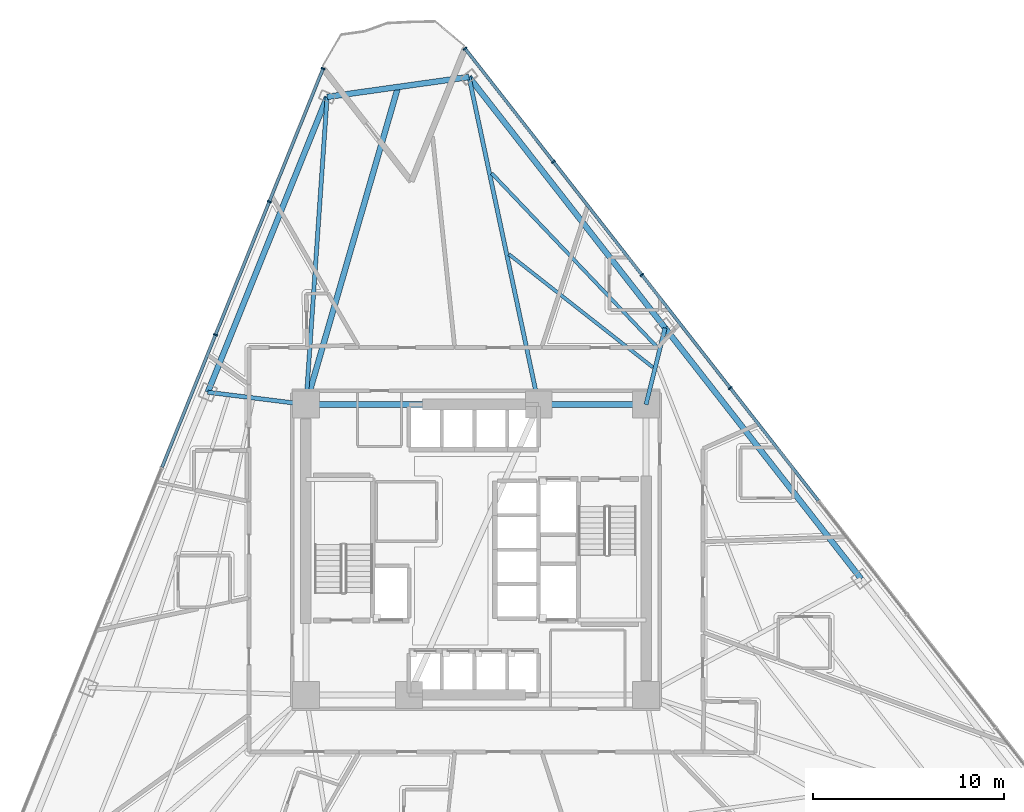
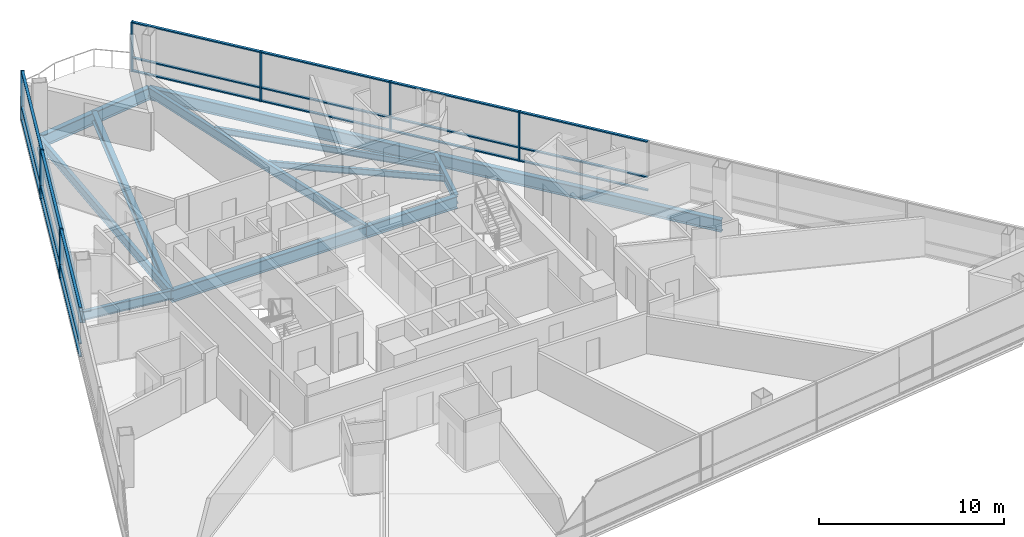
# One storey, part 5 of 15: 28 members, 13 beams, 2 elements without a shape of their own.
"""IFC4 building model written with IfcOpenShell, lengths in metres."""

from ifc_helpers import new_model, si_unit, direction, frame, origin, origin_2d, place, context, subcontext, project, spatial, rectangle, i_section, extrude, material, layer, layer_set, material_profile, profile_set, type_object, element, aggregate, save


model = new_model("IFC4")

# Units and contexts
model_context = context("Model", 3, precision=1e-05, world=origin(), true_north=direction((0.0, 1.0)))
body_context = subcontext(model_context, "Body", "Model", "MODEL_VIEW")
ifc_project = project(units=[si_unit("LENGTHUNIT", "METRE"), si_unit("AREAUNIT", "SQUARE_METRE"), si_unit("VOLUMEUNIT", "CUBIC_METRE"), si_unit("PLANEANGLEUNIT", "RADIAN"), si_unit("MASSUNIT", "GRAM", prefix="KILO")], contexts=[model_context])

# Site, building, storey
site_placement = place(None, origin())
site = spatial("IfcSite", under=ifc_project, at=site_placement, CompositionType="ELEMENT")
building_placement = place(site_placement, origin())
building = spatial("IfcBuilding", under=site, at=building_placement, Name="Tharavind Bronze Gate", CompositionType="ELEMENT")
storey_placement = place(building_placement, frame((0.0, 0.0, 63.85009765625)))
storey = spatial("IfcBuildingStorey", under=building, at=storey_placement, Name="L15", CompositionType="ELEMENT", Elevation=63.85009765625)

# Curtain wall, members
ifc_material_1 = material(Name="Anodised Bronze Aluminium", Category="aluminium")
ifc_layer = layer(ifc_material_1, 0.219970703125)
ifc_layer_set = layer_set([ifc_layer], Name="Anodised Bronze Aluminium")
curtain_wall_type = type_object("IfcCurtainWallType", Name="UNITISED CURTAIN WALL HOTEL", PredefinedType="USERDEFINED", material=ifc_layer_set)
curtain_wall_1_placement = place(storey_placement, origin())
curtain_wall_1 = element("IfcCurtainWall", 1, at=curtain_wall_1_placement, inside=storey, type_object=curtain_wall_type, Name="L15 unitised curtain wall hotel CW-L15-S1", ObjectType="UNITISED CURTAIN WALL", PredefinedType="USERDEFINED")
member_type_1 = type_object("IfcMemberType", Name="CURTAIN WALL MULLION 80X220", PredefinedType="MULLION", material=ifc_material_1)
member_1_placement = place(storey_placement, frame((-8.000732421875, 25.18310546875, 0.0), z_axis=(0.0, 0.0, 1.0), x_axis=(-0.374606593416, -0.927183854567, 0.0)))
member_1 = element("IfcMember", 2, at=member_1_placement, type_object=member_type_1, Name="CW-L15-S1 mullion 1", PredefinedType="MULLION", context=body_context, shape_type="SweptSolid", body=[
    extrude(rectangle(XDim=0.080078125, YDim=0.219970703125, at=origin_2d()), origin(), (0.0, 0.0, 1.0), 3.27490234375),
])
member_2_placement = place(storey_placement, frame((-10.81591796875, 18.215087890625, 0.0), z_axis=(0.0, 0.0, 1.0), x_axis=(-0.374606593416, -0.927183854567, 0.0)))
member_2 = element("IfcMember", 3, at=member_2_placement, type_object=member_type_1, Name="CW-L15-S1 mullion 2", PredefinedType="MULLION", context=body_context, shape_type="SweptSolid", body=[
    extrude(rectangle(XDim=0.080078125, YDim=0.219970703125, at=origin_2d()), origin(), (0.0, 0.0, 1.0), 3.27490234375),
])
member_3_placement = place(storey_placement, frame((-13.631103515625, 11.247314453125, 0.0), z_axis=(0.0, 0.0, 1.0), x_axis=(-0.374606593416, -0.927183854567, 0.0)))
member_3 = element("IfcMember", 4, at=member_3_placement, type_object=member_type_1, Name="CW-L15-S1 mullion 3", PredefinedType="MULLION", context=body_context, shape_type="SweptSolid", body=[
    extrude(rectangle(XDim=0.080078125, YDim=0.219970703125, at=origin_2d()), origin(), (0.0, 0.0, 1.0), 3.27490234375),
])

curtain_wall_2_placement = place(storey_placement, origin())
curtain_wall_2 = element("IfcCurtainWall", 5, at=curtain_wall_2_placement, inside=storey, type_object=curtain_wall_type, Name="L15 unitised curtain wall hotel CW-L15-S3", ObjectType="UNITISED CURTAIN WALL", PredefinedType="USERDEFINED")
member_4_placement = place(storey_placement, frame((13.306396484375, 8.4609375, 0.0), z_axis=(0.0, 0.0, 1.0), x_axis=(-0.615661475326, 0.788010753607, 0.0)))
member_4 = element("IfcMember", 6, at=member_4_placement, type_object=member_type_1, Name="CW-L15-S3 mullion 5", PredefinedType="MULLION", context=body_context, shape_type="SweptSolid", body=[
    extrude(rectangle(XDim=0.080078125, YDim=0.219970703125, at=origin_2d()), origin(), (0.0, 0.0, 1.0), 3.27490234375),
])
member_5_placement = place(storey_placement, frame((8.6796875, 14.383056640625, 0.0), z_axis=(0.0, 0.0, 1.0), x_axis=(-0.615661475326, 0.788010753607, 0.0)))
member_5 = element("IfcMember", 7, at=member_5_placement, type_object=member_type_1, Name="CW-L15-S3 mullion 6", PredefinedType="MULLION", context=body_context, shape_type="SweptSolid", body=[
    extrude(rectangle(XDim=0.080078125, YDim=0.219970703125, at=origin_2d()), origin(), (0.0, 0.0, 1.0), 3.27490234375),
])
member_6_placement = place(storey_placement, frame((4.052978515625, 20.304931640625, 0.0), z_axis=(0.0, 0.0, 1.0), x_axis=(-0.615661475326, 0.788010753607, 0.0)))
member_6 = element("IfcMember", 8, at=member_6_placement, type_object=member_type_1, Name="CW-L15-S3 mullion 7", PredefinedType="MULLION", context=body_context, shape_type="SweptSolid", body=[
    extrude(rectangle(XDim=0.080078125, YDim=0.219970703125, at=origin_2d()), origin(), (0.0, 0.0, 1.0), 3.27490234375),
])
member_7_placement = place(storey_placement, frame((-0.57373046875, 26.226806640625, 0.0), z_axis=(0.0, 0.0, 1.0), x_axis=(-0.615661475326, 0.788010753607, 0.0)))
member_7 = element("IfcMember", 9, at=member_7_placement, type_object=member_type_1, Name="CW-L15-S3 mullion 8", PredefinedType="MULLION", context=body_context, shape_type="SweptSolid", body=[
    extrude(rectangle(XDim=0.080078125, YDim=0.219970703125, at=origin_2d()), origin(), (0.0, 0.0, 1.0), 3.27490234375),
])

# Member
member_type_2 = type_object("IfcMemberType", Name="CURTAIN WALL TRANSOM 80X160", PredefinedType="USERDEFINED", material=ifc_material_1)
member_8_placement = place(storey_placement, frame((-9.408203125, 21.69921875, -0.000244140625), z_axis=(0.0, 0.0, 1.0), x_axis=(-0.374606593416, -0.927183854567, 0.0)))
member_8 = element("IfcMember", 10, at=member_8_placement, type_object=member_type_2, Name="CW-L15-S1 transom TB1", ObjectType="TRANSOM", PredefinedType="USERDEFINED", context=body_context, shape_type="SweptSolid", body=[
    extrude(rectangle(XDim=7.447021484375, YDim=0.159912109375, at=origin_2d()), origin(), (0.0, 0.0, 1.0), 0.080078125),
])

member_9_placement = place(storey_placement, frame((-9.408203125, 21.69921875, 0.85986328125), z_axis=(0.0, 0.0, 1.0), x_axis=(-0.374606593416, -0.927183854567, 0.0)))
member_9 = element("IfcMember", 11, at=member_9_placement, type_object=member_type_2, Name="CW-L15-S1 transom TS1", ObjectType="TRANSOM", PredefinedType="USERDEFINED", context=body_context, shape_type="SweptSolid", body=[
    extrude(rectangle(XDim=7.447021484375, YDim=0.159912109375, at=origin_2d()), origin(), (0.0, 0.0, 1.0), 0.080078125),
])

member_10_placement = place(storey_placement, frame((-9.408203125, 21.69921875, 3.19482421875), z_axis=(0.0, 0.0, 1.0), x_axis=(-0.374606593416, -0.927183854567, 0.0)))
member_10 = element("IfcMember", 12, at=member_10_placement, type_object=member_type_2, Name="CW-L15-S1 transom TT1", ObjectType="TRANSOM", PredefinedType="USERDEFINED", context=body_context, shape_type="SweptSolid", body=[
    extrude(rectangle(XDim=7.447021484375, YDim=0.159912109375, at=origin_2d()), origin(), (0.0, 0.0, 1.0), 0.080078125),
])

member_11_placement = place(storey_placement, frame((-12.223388671875, 14.731201171875, -0.000244140625), z_axis=(0.0, 0.0, 1.0), x_axis=(-0.374606593416, -0.927183854567, 0.0)))
member_11 = element("IfcMember", 13, at=member_11_placement, type_object=member_type_2, Name="CW-L15-S1 transom TB2", ObjectType="TRANSOM", PredefinedType="USERDEFINED", context=body_context, shape_type="SweptSolid", body=[
    extrude(rectangle(XDim=7.447021484375, YDim=0.159912109375, at=origin_2d()), origin(), (0.0, 0.0, 1.0), 0.080078125),
])

member_12_placement = place(storey_placement, frame((-12.223388671875, 14.731201171875, 0.85986328125), z_axis=(0.0, 0.0, 1.0), x_axis=(-0.374606593416, -0.927183854567, 0.0)))
member_12 = element("IfcMember", 14, at=member_12_placement, type_object=member_type_2, Name="CW-L15-S1 transom TS2", ObjectType="TRANSOM", PredefinedType="USERDEFINED", context=body_context, shape_type="SweptSolid", body=[
    extrude(rectangle(XDim=7.447021484375, YDim=0.159912109375, at=origin_2d()), origin(), (0.0, 0.0, 1.0), 0.080078125),
])

member_13_placement = place(storey_placement, frame((-12.223388671875, 14.731201171875, 3.19482421875), z_axis=(0.0, 0.0, 1.0), x_axis=(-0.374606593416, -0.927183854567, 0.0)))
member_13 = element("IfcMember", 15, at=member_13_placement, type_object=member_type_2, Name="CW-L15-S1 transom TT2", ObjectType="TRANSOM", PredefinedType="USERDEFINED", context=body_context, shape_type="SweptSolid", body=[
    extrude(rectangle(XDim=7.447021484375, YDim=0.159912109375, at=origin_2d()), origin(), (0.0, 0.0, 1.0), 0.080078125),
])

member_14_placement = place(storey_placement, frame((-15.038818359375, 7.763427734375, -0.000244140625), z_axis=(0.0, 0.0, 1.0), x_axis=(-0.374606593416, -0.927183854567, 0.0)))
member_14 = element("IfcMember", 16, at=member_14_placement, type_object=member_type_2, Name="CW-L15-S1 transom TB3", ObjectType="TRANSOM", PredefinedType="USERDEFINED", context=body_context, shape_type="SweptSolid", body=[
    extrude(rectangle(XDim=7.447021484375, YDim=0.159912109375, at=origin_2d()), origin(), (0.0, 0.0, 1.0), 0.080078125),
])

member_15_placement = place(storey_placement, frame((-15.038818359375, 7.763427734375, 0.85986328125), z_axis=(0.0, 0.0, 1.0), x_axis=(-0.374606593416, -0.927183854567, 0.0)))
member_15 = element("IfcMember", 17, at=member_15_placement, type_object=member_type_2, Name="CW-L15-S1 transom TS3", ObjectType="TRANSOM", PredefinedType="USERDEFINED", context=body_context, shape_type="SweptSolid", body=[
    extrude(rectangle(XDim=7.447021484375, YDim=0.159912109375, at=origin_2d()), origin(), (0.0, 0.0, 1.0), 0.080078125),
])

member_16_placement = place(storey_placement, frame((-15.038818359375, 7.763427734375, 3.19482421875), z_axis=(0.0, 0.0, 1.0), x_axis=(-0.374606593416, -0.927183854567, 0.0)))
member_16 = element("IfcMember", 18, at=member_16_placement, type_object=member_type_2, Name="CW-L15-S1 transom TT3", ObjectType="TRANSOM", PredefinedType="USERDEFINED", context=body_context, shape_type="SweptSolid", body=[
    extrude(rectangle(XDim=7.447021484375, YDim=0.159912109375, at=origin_2d()), origin(), (0.0, 0.0, 1.0), 0.080078125),
])

aggregate(curtain_wall_1, [member_1, member_2, member_3, member_8, member_9, member_10, member_11, member_12, member_13, member_14, member_15, member_16])

member_17_placement = place(storey_placement, frame((15.619873046875, 5.5, -0.000244140625), z_axis=(0.0, 0.0, 1.0), x_axis=(-0.615661475326, 0.788010753607, 0.0)))
member_17 = element("IfcMember", 19, at=member_17_placement, type_object=member_type_2, Name="CW-L15-S3 transom TB4", ObjectType="TRANSOM", PredefinedType="USERDEFINED", context=body_context, shape_type="SweptSolid", body=[
    extrude(rectangle(XDim=7.447021484375, YDim=0.159912109375, at=origin_2d()), origin(), (0.0, 0.0, 1.0), 0.080078125),
])

member_18_placement = place(storey_placement, frame((15.619873046875, 5.5, 0.85986328125), z_axis=(0.0, 0.0, 1.0), x_axis=(-0.615661475326, 0.788010753607, 0.0)))
member_18 = element("IfcMember", 20, at=member_18_placement, type_object=member_type_2, Name="CW-L15-S3 transom TS4", ObjectType="TRANSOM", PredefinedType="USERDEFINED", context=body_context, shape_type="SweptSolid", body=[
    extrude(rectangle(XDim=7.447021484375, YDim=0.159912109375, at=origin_2d()), origin(), (0.0, 0.0, 1.0), 0.080078125),
])

member_19_placement = place(storey_placement, frame((15.619873046875, 5.5, 3.19482421875), z_axis=(0.0, 0.0, 1.0), x_axis=(-0.615661475326, 0.788010753607, 0.0)))
member_19 = element("IfcMember", 21, at=member_19_placement, type_object=member_type_2, Name="CW-L15-S3 transom TT4", ObjectType="TRANSOM", PredefinedType="USERDEFINED", context=body_context, shape_type="SweptSolid", body=[
    extrude(rectangle(XDim=7.447021484375, YDim=0.159912109375, at=origin_2d()), origin(), (0.0, 0.0, 1.0), 0.080078125),
])

member_20_placement = place(storey_placement, frame((10.9931640625, 11.422119140625, -0.000244140625), z_axis=(0.0, 0.0, 1.0), x_axis=(-0.615661475326, 0.788010753607, 0.0)))
member_20 = element("IfcMember", 22, at=member_20_placement, type_object=member_type_2, Name="CW-L15-S3 transom TB5", ObjectType="TRANSOM", PredefinedType="USERDEFINED", context=body_context, shape_type="SweptSolid", body=[
    extrude(rectangle(XDim=7.447021484375, YDim=0.159912109375, at=origin_2d()), origin(), (0.0, 0.0, 1.0), 0.080078125),
])

member_21_placement = place(storey_placement, frame((10.9931640625, 11.422119140625, 0.85986328125), z_axis=(0.0, 0.0, 1.0), x_axis=(-0.615661475326, 0.788010753607, 0.0)))
member_21 = element("IfcMember", 23, at=member_21_placement, type_object=member_type_2, Name="CW-L15-S3 transom TS5", ObjectType="TRANSOM", PredefinedType="USERDEFINED", context=body_context, shape_type="SweptSolid", body=[
    extrude(rectangle(XDim=7.447021484375, YDim=0.159912109375, at=origin_2d()), origin(), (0.0, 0.0, 1.0), 0.080078125),
])

member_22_placement = place(storey_placement, frame((10.9931640625, 11.422119140625, 3.19482421875), z_axis=(0.0, 0.0, 1.0), x_axis=(-0.615661475326, 0.788010753607, 0.0)))
member_22 = element("IfcMember", 24, at=member_22_placement, type_object=member_type_2, Name="CW-L15-S3 transom TT5", ObjectType="TRANSOM", PredefinedType="USERDEFINED", context=body_context, shape_type="SweptSolid", body=[
    extrude(rectangle(XDim=7.447021484375, YDim=0.159912109375, at=origin_2d()), origin(), (0.0, 0.0, 1.0), 0.080078125),
])

member_23_placement = place(storey_placement, frame((6.366455078125, 17.343994140625, -0.000244140625), z_axis=(0.0, 0.0, 1.0), x_axis=(-0.615661475326, 0.788010753607, 0.0)))
member_23 = element("IfcMember", 25, at=member_23_placement, type_object=member_type_2, Name="CW-L15-S3 transom TB6", ObjectType="TRANSOM", PredefinedType="USERDEFINED", context=body_context, shape_type="SweptSolid", body=[
    extrude(rectangle(XDim=7.447021484375, YDim=0.159912109375, at=origin_2d()), origin(), (0.0, 0.0, 1.0), 0.080078125),
])

member_24_placement = place(storey_placement, frame((6.366455078125, 17.343994140625, 0.85986328125), z_axis=(0.0, 0.0, 1.0), x_axis=(-0.615661475326, 0.788010753607, 0.0)))
member_24 = element("IfcMember", 26, at=member_24_placement, type_object=member_type_2, Name="CW-L15-S3 transom TS6", ObjectType="TRANSOM", PredefinedType="USERDEFINED", context=body_context, shape_type="SweptSolid", body=[
    extrude(rectangle(XDim=7.447021484375, YDim=0.159912109375, at=origin_2d()), origin(), (0.0, 0.0, 1.0), 0.080078125),
])

member_25_placement = place(storey_placement, frame((6.366455078125, 17.343994140625, 3.19482421875), z_axis=(0.0, 0.0, 1.0), x_axis=(-0.615661475326, 0.788010753607, 0.0)))
member_25 = element("IfcMember", 27, at=member_25_placement, type_object=member_type_2, Name="CW-L15-S3 transom TT6", ObjectType="TRANSOM", PredefinedType="USERDEFINED", context=body_context, shape_type="SweptSolid", body=[
    extrude(rectangle(XDim=7.447021484375, YDim=0.159912109375, at=origin_2d()), origin(), (0.0, 0.0, 1.0), 0.080078125),
])

member_26_placement = place(storey_placement, frame((1.73974609375, 23.265869140625, -0.000244140625), z_axis=(0.0, 0.0, 1.0), x_axis=(-0.615661475326, 0.788010753607, 0.0)))
member_26 = element("IfcMember", 28, at=member_26_placement, type_object=member_type_2, Name="CW-L15-S3 transom TB7", ObjectType="TRANSOM", PredefinedType="USERDEFINED", context=body_context, shape_type="SweptSolid", body=[
    extrude(rectangle(XDim=7.447021484375, YDim=0.159912109375, at=origin_2d()), origin(), (0.0, 0.0, 1.0), 0.080078125),
])

member_27_placement = place(storey_placement, frame((1.73974609375, 23.265869140625, 0.85986328125), z_axis=(0.0, 0.0, 1.0), x_axis=(-0.615661475326, 0.788010753607, 0.0)))
member_27 = element("IfcMember", 29, at=member_27_placement, type_object=member_type_2, Name="CW-L15-S3 transom TS7", ObjectType="TRANSOM", PredefinedType="USERDEFINED", context=body_context, shape_type="SweptSolid", body=[
    extrude(rectangle(XDim=7.447021484375, YDim=0.159912109375, at=origin_2d()), origin(), (0.0, 0.0, 1.0), 0.080078125),
])

member_28_placement = place(storey_placement, frame((1.73974609375, 23.265869140625, 3.19482421875), z_axis=(0.0, 0.0, 1.0), x_axis=(-0.615661475326, 0.788010753607, 0.0)))
member_28 = element("IfcMember", 30, at=member_28_placement, type_object=member_type_2, Name="CW-L15-S3 transom TT7", ObjectType="TRANSOM", PredefinedType="USERDEFINED", context=body_context, shape_type="SweptSolid", body=[
    extrude(rectangle(XDim=7.447021484375, YDim=0.159912109375, at=origin_2d()), origin(), (0.0, 0.0, 1.0), 0.080078125),
])

aggregate(curtain_wall_2, [member_4, member_5, member_6, member_7, member_17, member_18, member_19, member_20, member_21, member_22, member_23, member_24, member_25, member_26, member_27, member_28])

# Beams
ifc_material_2 = material(Name="Steel S355", Category="steel")
ifc_material_profile_1 = material_profile(ifc_material_2, i_section(OverallWidth=0.300048828125, OverallDepth=0.64990234375, WebThickness=0.01611328125, FlangeThickness=0.031005859375, at=origin_2d()), Name="HE650B")
ifc_profile_set_1 = profile_set([ifc_material_profile_1], Name="Steel S355")
beam_type_1 = type_object("IfcBeamType", Name="PRIMARY GIRDER HE650B", PredefinedType="USERDEFINED", material=ifc_profile_set_1)
beam_1_placement = place(storey_placement, frame((-8.89990234375, 7.60009765625, -0.5), z_axis=(0.278626347577, 0.960399582693, 0.0), x_axis=(-0.960399582693, 0.278626347577, 0.0)))
element("IfcBeam", 31, at=beam_1_placement, inside=storey, type_object=beam_type_1, Name="L15 primary girder he650b BM-L15-BLCSB", ObjectType="GIRDER", PredefinedType="USERDEFINED", context=body_context, shape_type="SweptSolid", body=[
    extrude(i_section(OverallWidth=0.300048828125, OverallDepth=0.64990234375, WebThickness=0.01611328125, FlangeThickness=0.031005859375, at=origin_2d()), origin(), (0.0, 0.0, 1.0), 17.3046875),
])
ifc_material_profile_2 = material_profile(ifc_material_2, i_section(OverallWidth=0.219970703125, OverallDepth=0.60009765625, WebThickness=0.011962890625, FlangeThickness=0.01904296875, at=origin_2d()), Name="IPE600")
ifc_profile_set_2 = profile_set([ifc_material_profile_2], Name="Steel S355")
beam_type_2 = type_object("IfcBeamType", Name="PRIMARY GIRDER IPE600", PredefinedType="USERDEFINED", material=ifc_profile_set_2)
beam_2_placement = place(storey_placement, frame((-7.7919921875, 23.69775390625, -0.47509765625), z_axis=(-0.06866188826, -0.997639987721, 0.0), x_axis=(0.997639987721, -0.06866188826, 0.0)))
element("IfcBeam", 32, at=beam_2_placement, inside=storey, type_object=beam_type_2, Name="L15 primary girder ipe600 BM-L15-RAD01", ObjectType="GIRDER", PredefinedType="USERDEFINED", context=body_context, shape_type="SweptSolid", body=[
    extrude(i_section(OverallWidth=0.219970703125, OverallDepth=0.60009765625, WebThickness=0.011962890625, FlangeThickness=0.01904296875, at=origin_2d()), origin(), (0.0, 0.0, 1.0), 16.1357421875),
])
beam_3_placement = place(storey_placement, frame((-14.036376953125, 8.2421875, -0.47509765625), z_axis=(0.992277151101, -0.124040539351, 0.0), x_axis=(0.124040539351, 0.992277151101, 0.0)))
element("IfcBeam", 33, at=beam_3_placement, inside=storey, type_object=beam_type_2, Name="L15 primary girder ipe600 BM-L15-RAD02", ObjectType="GIRDER", PredefinedType="USERDEFINED", context=body_context, shape_type="SweptSolid", body=[
    extrude(i_section(OverallWidth=0.219970703125, OverallDepth=0.60009765625, WebThickness=0.011962890625, FlangeThickness=0.01904296875, at=origin_2d()), origin(), (0.0, 0.0, 1.0), 5.176513671875),
])
beam_4_placement = place(storey_placement, frame((9.897705078125, 11.60595703125, -0.47509765625), z_axis=(-0.241700633281, -0.970350866373, 0.0), x_axis=(0.970350866373, -0.241700633281, 0.0)))
element("IfcBeam", 34, at=beam_4_placement, inside=storey, type_object=beam_type_2, Name="L15 primary girder ipe600 BM-L15-RAD11", ObjectType="GIRDER", PredefinedType="USERDEFINED", context=body_context, shape_type="SweptSolid", body=[
    extrude(i_section(OverallWidth=0.219970703125, OverallDepth=0.60009765625, WebThickness=0.011962890625, FlangeThickness=0.01904296875, at=origin_2d()), origin(), (0.0, 0.0, 1.0), 4.128173828125),
])
beam_5_placement = place(storey_placement, frame((-0.364990234375, 24.741455078125, -0.47509765625), z_axis=(0.207994213737, -0.978130056307, 0.0), x_axis=(0.978130056307, 0.207994213737, 0.0)))
element("IfcBeam", 35, at=beam_5_placement, inside=storey, type_object=beam_type_2, Name="L15 primary girder ipe600 BM-L15-RAD12", ObjectType="GIRDER", PredefinedType="USERDEFINED", context=body_context, shape_type="SweptSolid", body=[
    extrude(i_section(OverallWidth=0.219970703125, OverallDepth=0.60009765625, WebThickness=0.011962890625, FlangeThickness=0.01904296875, at=origin_2d()), origin(), (0.0, 0.0, 1.0), 17.524658203125),
])
ifc_material_profile_3 = material_profile(ifc_material_2, i_section(OverallWidth=0.300048828125, OverallDepth=0.800048828125, WebThickness=0.017578125, FlangeThickness=0.032958984375, at=origin_2d()), Name="HE800B")
ifc_profile_set_3 = profile_set([ifc_material_profile_3], Name="Steel S355")
beam_type_3 = type_object("IfcBeamType", Name="RING GIRDER HE800B", PredefinedType="USERDEFINED", material=ifc_profile_set_3)
beam_6_placement = place(storey_placement, frame((8.89990234375, 7.60009765625, -0.5751953125), z_axis=(-1.0, 0.0, 0.0), x_axis=(0.0, -1.0, 0.0)))
element("IfcBeam", 36, at=beam_6_placement, inside=storey, type_object=beam_type_3, Name="L15 ring girder he800b BM-L15-CR4", ObjectType="GIRDER", PredefinedType="USERDEFINED", context=body_context, shape_type="SweptSolid", body=[
    extrude(i_section(OverallWidth=0.300048828125, OverallDepth=0.800048828125, WebThickness=0.017578125, FlangeThickness=0.032958984375, at=origin_2d()), origin(), (0.0, 0.0, 1.0), 5.619873046875),
])
beam_7_placement = place(storey_placement, frame((3.280029296875, 7.60009765625, -0.5751953125), z_axis=(-1.0, 0.0, 0.0), x_axis=(0.0, -1.0, 0.0)))
element("IfcBeam", 37, at=beam_7_placement, inside=storey, type_object=beam_type_3, Name="L15 ring girder he800b BM-L15-CR5", ObjectType="GIRDER", PredefinedType="USERDEFINED", context=body_context, shape_type="SweptSolid", body=[
    extrude(i_section(OverallWidth=0.300048828125, OverallDepth=0.800048828125, WebThickness=0.017578125, FlangeThickness=0.032958984375, at=origin_2d()), origin(), (0.0, 0.0, 1.0), 12.179931640625),
])
beam_8_placement = place(storey_placement, frame((-7.7919921875, 23.69775390625, -0.5751953125), z_axis=(-0.374603014443, -0.927185300557, 0.0), x_axis=(0.927185300557, -0.374603014443, 0.0)))
element("IfcBeam", 38, at=beam_8_placement, inside=storey, type_object=beam_type_3, Name="L15 ring girder he800b BM-L15-PRG01", ObjectType="GIRDER", PredefinedType="USERDEFINED", context=body_context, shape_type="SweptSolid", body=[
    extrude(i_section(OverallWidth=0.300048828125, OverallDepth=0.800048828125, WebThickness=0.017578125, FlangeThickness=0.032958984375, at=origin_2d()), origin(), (0.0, 0.0, 1.0), 16.66943359375),
])
beam_9_placement = place(storey_placement, frame((20.16015625, -1.529296875, -0.5751953125), z_axis=(-0.615663937513, 0.788008829929, 0.0), x_axis=(-0.788008829929, -0.615663937513, 0.0)))
element("IfcBeam", 39, at=beam_9_placement, inside=storey, type_object=beam_type_3, Name="L15 ring girder he800b BM-L15-PRG10", ObjectType="GIRDER", PredefinedType="USERDEFINED", context=body_context, shape_type="SweptSolid", body=[
    extrude(i_section(OverallWidth=0.300048828125, OverallDepth=0.800048828125, WebThickness=0.017578125, FlangeThickness=0.032958984375, at=origin_2d()), origin(), (0.0, 0.0, 1.0), 16.6689453125),
])
beam_10_placement = place(storey_placement, frame((9.897705078125, 11.60595703125, -0.5751953125), z_axis=(-0.615665926595, 0.788007275873, 0.0), x_axis=(-0.788007275873, -0.615665926595, 0.0)))
element("IfcBeam", 40, at=beam_10_placement, inside=storey, type_object=beam_type_3, Name="L15 ring girder he800b BM-L15-PRG11", ObjectType="GIRDER", PredefinedType="USERDEFINED", context=body_context, shape_type="SweptSolid", body=[
    extrude(i_section(OverallWidth=0.300048828125, OverallDepth=0.800048828125, WebThickness=0.017578125, FlangeThickness=0.032958984375, at=origin_2d()), origin(), (0.0, 0.0, 1.0), 16.669189453125),
])
beam_11_placement = place(storey_placement, frame((-0.364990234375, 24.741455078125, -0.5751953125), z_axis=(-0.990269830577, -0.139160564272, 0.0), x_axis=(0.139160564272, -0.990269830577, 0.0)))
element("IfcBeam", 41, at=beam_11_placement, inside=storey, type_object=beam_type_3, Name="L15 ring girder he800b BM-L15-PRG12", ObjectType="GIRDER", PredefinedType="USERDEFINED", context=body_context, shape_type="SweptSolid", body=[
    extrude(i_section(OverallWidth=0.300048828125, OverallDepth=0.800048828125, WebThickness=0.017578125, FlangeThickness=0.032958984375, at=origin_2d()), origin(), (0.0, 0.0, 1.0), 7.5),
])
ifc_material_profile_4 = material_profile(ifc_material_2, i_section(OverallWidth=0.179931640625, OverallDepth=0.39990234375, WebThickness=0.008544921875, FlangeThickness=0.013427734375, at=origin_2d()), Name="IPE400")
ifc_profile_set_4 = profile_set([ifc_material_profile_4], Name="Steel S355")
beam_type_4 = type_object("IfcBeamType", Name="SECONDARY FLOOR JOIST IPE400", PredefinedType="JOIST", material=ifc_profile_set_4)
beam_12_placement = place(storey_placement, frame((9.265869140625, 9.539794921875, -0.375), z_axis=(-0.786502051984, 0.617587663595, 0.0), x_axis=(-0.617587663595, -0.786502051984, 0.0)))
element("IfcBeam", 42, at=beam_12_placement, inside=storey, type_object=beam_type_4, Name="L15 secondary floor joist ipe400 BM-L15-JSTA11", PredefinedType="JOIST", context=body_context, shape_type="SweptSolid", body=[
    extrude(i_section(OverallWidth=0.179931640625, OverallDepth=0.39990234375, WebThickness=0.008544921875, FlangeThickness=0.013427734375, at=origin_2d()), origin(), (0.0, 0.0, 1.0), 9.58984375),
])
beam_13_placement = place(storey_placement, frame((9.520751953125, 10.5615234375, -0.375), z_axis=(-0.689438692016, 0.724344041151, 0.0), x_axis=(-0.724344041151, -0.689438692016, 0.0)))
element("IfcBeam", 43, at=beam_13_placement, inside=storey, type_object=beam_type_4, Name="L15 secondary floor joist ipe400 BM-L15-JSTB11", PredefinedType="JOIST", context=body_context, shape_type="SweptSolid", body=[
    extrude(i_section(OverallWidth=0.179931640625, OverallDepth=0.39990234375, WebThickness=0.008544921875, FlangeThickness=0.013427734375, at=origin_2d()), origin(), (0.0, 0.0, 1.0), 12.617919921875),
])

save(model, "model.ifc")
